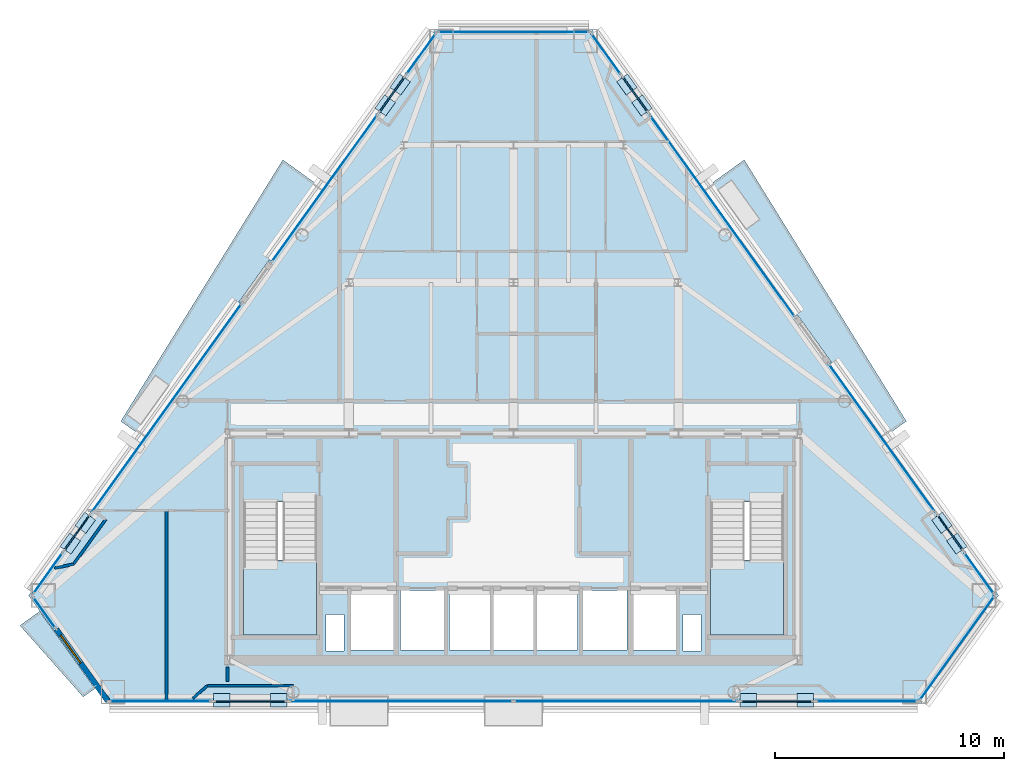
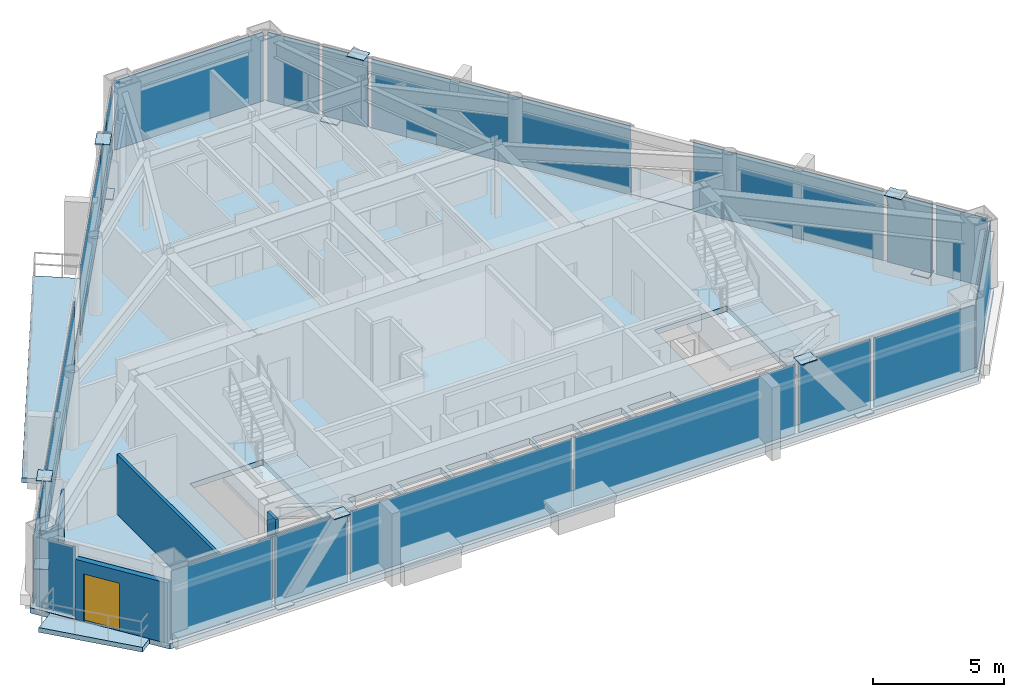
# One storey, part 6 of 11: 33 plates, 7 walls, 6 slabs, 1 door, 1 opening, 22 elements without a shape of their own.
"""IFC4 building model written with IfcOpenShell, lengths in metres."""

from ifc_helpers import new_model, si_unit, direction, frame, frame_2d, origin, origin_2d, place, context, subcontext, project, spatial, polyline, rectangle, outline, extrude, source, transform, mapped, material, layer, layer_set, type_object, type_shapes, element, fill, aggregate, save


model = new_model("IFC4")

# Units and contexts
model_context = context("Model", 3, precision=1e-05, world=origin(), true_north=direction((0.0, 1.0)))
body_context = subcontext(model_context, "Body", "Model", "MODEL_VIEW")
ifc_project = project(units=[si_unit("LENGTHUNIT", "METRE"), si_unit("AREAUNIT", "SQUARE_METRE"), si_unit("VOLUMEUNIT", "CUBIC_METRE"), si_unit("PLANEANGLEUNIT", "RADIAN"), si_unit("MASSUNIT", "GRAM", prefix="KILO")], contexts=[model_context])

# Site, building, storey
site_placement = place(None, origin())
site = spatial("IfcSite", under=ifc_project, at=site_placement, CompositionType="ELEMENT")
building_placement = place(site_placement, origin())
building = spatial("IfcBuilding", under=site, at=building_placement, Name="Talgorran Terracotta Tower", CompositionType="ELEMENT")
storey_placement = place(building_placement, frame((0.0, 0.0, 210.89990234375)))
storey = spatial("IfcBuildingStorey", under=building, at=storey_placement, Name="L55", CompositionType="ELEMENT", Elevation=210.89990234375)

# Plates
ifc_material_1 = material(Name="Steel Grade 350 (350L0)", Category="steel")
ifc_layer_1 = layer(ifc_material_1, 0.031982421875, Name="PL_CAP_MN07")
ifc_layer_set_1 = layer_set([ifc_layer_1], Name="Steel Grade 350 (350L0)")
plate_type_1 = type_object("IfcPlateType", Name="PL_CAP_MN07", PredefinedType="USERDEFINED", material=ifc_layer_set_1)
for number, where, z_axis, x_axis, name in (
    (1, (-12.740478515625, -15.856689453125, -0.005859375), (0.0, 0.0, 1.0), (1.0, 0.0, 0.0), "L55 Diagonal Frame End Cap SWF Bot"),
    (2, (-10.26318359375, -15.856689453125, 3.3193359375), (0.0, 0.0, 1.0), (1.0, 0.0, 0.0), "L55 Diagonal Frame End Cap SWF Top"),
    (3, (12.740478515625, -15.856689453125, -0.005859375), (0.0, 0.0, 1.0), (-1.0, 0.0, 0.0), "L55 Diagonal Frame End Cap SEF Bot"),
    (4, (10.26318359375, -15.856689453125, 3.3193359375), (0.0, 0.0, 1.0), (-1.0, 0.0, 0.0), "L55 Diagonal Frame End Cap SEF Top"),
    (5, (19.36669921875, -9.00830078125, -0.005859375), (0.0, 0.0, 1.0), (-0.583682937781, 0.811981667369, 0.0), "L55 Diagonal Frame End Cap NEL Bot"),
    (6, (18.713134765625, -8.098876953125, 3.3193359375), (0.0, 0.0, 1.0), (-0.583682937781, 0.811981667369, 0.0), "L55 Diagonal Frame End Cap NEL Top"),
    (7, (4.9541015625, 11.04833984375, -0.005859375), (0.0, 0.0, 1.0), (0.583541211356, -0.812083526892, 0.0), "L55 Diagonal Frame End Cap NEU Bot"),
    (8, (5.607666015625, 10.138916015625, 3.3193359375), (0.0, 0.0, 1.0), (0.583541211356, -0.812083526892, 0.0), "L55 Diagonal Frame End Cap NEU Top"),
    (9, (-4.9541015625, 11.04833984375, -0.005859375), (0.0, 0.0, 1.0), (-0.583541211356, -0.812083526892, 0.0), "L55 Diagonal Frame End Cap NWU Bot"),
    (10, (-5.607666015625, 10.138916015625, 3.3193359375), (0.0, 0.0, 1.0), (-0.583541211356, -0.812083526892, 0.0), "L55 Diagonal Frame End Cap NWU Top"),
    (11, (-19.36669921875, -9.00830078125, -0.005859375), (0.0, 0.0, 1.0), (0.583541211356, 0.812083526892, 0.0), "L55 Diagonal Frame End Cap NWL Bot"),
    (12, (-18.713134765625, -8.098876953125, 3.3193359375), (0.0, 0.0, 1.0), (0.583541211356, 0.812083526892, 0.0), "L55 Diagonal Frame End Cap NWL Top"),
):
    element("IfcPlate", number, at=place(storey_placement, frame(where, z_axis=z_axis, x_axis=x_axis)), inside=storey, type_object=plate_type_1, Name=name, ObjectType="CAP PLATE", PredefinedType="USERDEFINED", context=body_context, shape_type="SweptSolid", body=[
        extrude(rectangle(XDim=0.719970703125, YDim=0.580078125, at=origin_2d()), origin(), (0.0, 0.0, 1.0), 0.031982421875),
    ])

# Slabs
ifc_material_2 = material(Name="Concrete C40/50", Category="concrete")
ifc_layer_2 = layer(ifc_material_2, 0.219970703125, Name="SL_BALCONY_220")
ifc_layer_set_2 = layer_set([ifc_layer_2], Name="Concrete C40/50")
slab_type_1 = type_object("IfcSlabType", Name="SL_BALCONY_220", PredefinedType="FLOOR", material=ifc_layer_set_2)
slab_1_placement = place(storey_placement, frame((0.0, 0.0, -0.219970703125)))
element("IfcSlab", 13, at=slab_1_placement, inside=storey, type_object=slab_type_1, Name="L55 Outdoor Wave Balcony BAL-NE", PredefinedType="FLOOR", context=body_context, shape_type="SweptSolid", body=[
    extrude(outline(polyline([(8.401123046875, 6.551513671875), (16.22314453125, -4.333740234375), (17.158935546875, -3.661376953125), (10.080322265625, 7.758056640625), (8.401123046875, 6.551513671875)])), origin(), (0.0, 0.0, 1.0), 0.219970703125),
])
slab_2_placement = place(storey_placement, frame((0.0, 0.0, -0.219970703125)))
element("IfcSlab", 14, at=slab_2_placement, inside=storey, type_object=slab_type_1, Name="L55 Outdoor Wave Balcony BAL-NW", PredefinedType="FLOOR", context=body_context, shape_type="SweptSolid", body=[
    extrude(outline(polyline([(-16.22314453125, -4.333740234375), (-8.401123046875, 6.551513671875), (-10.080322265625, 7.758056640625), (-17.158935546875, -3.661376953125), (-16.22314453125, -4.333740234375)])), origin(), (0.0, 0.0, 1.0), 0.219970703125),
])
slab_3_placement = place(storey_placement, frame((0.0, 0.0, -0.219970703125)))
element("IfcSlab", 15, at=slab_3_placement, inside=storey, type_object=slab_type_1, Name="L55 Outdoor Wave Balcony BAL-SW", PredefinedType="FLOOR", context=body_context, shape_type="SweptSolid", body=[
    extrude(outline(polyline([(-18.28564453125, -15.335205078125), (-20.704833984375, -11.968505859375), (-21.564208984375, -12.586181640625), (-18.8017578125, -15.7060546875), (-18.28564453125, -15.335205078125)])), origin(), (0.0, 0.0, 1.0), 0.219970703125),
])

# Stair, slab
stair_type = type_object("IfcStairType", Name="ST_FIRE_SCISSOR", PredefinedType="HALF_TURN_STAIR", material=ifc_material_2)
stair_1_placement = place(storey_placement, origin())
stair_1 = element("IfcStair", 16, at=stair_1_placement, inside=storey, type_object=stair_type, Name="L55 West Protected Fire Stair ST-01", PredefinedType="HALF_TURN_STAIR")
ifc_layer_3 = layer(ifc_material_2, 0.199951171875, Name="SL_LANDING_200")
ifc_layer_set_3 = layer_set([ifc_layer_3], Name="Concrete C40/50")
slab_type_2 = type_object("IfcSlabType", Name="SL_LANDING_200", PredefinedType="LANDING", material=ifc_layer_set_3)
slab_4_placement = place(storey_placement, frame((0.0, 0.0, 1.60009765625)))
slab_4 = element("IfcSlab", 17, at=slab_4_placement, type_object=slab_type_2, Name="ST-01 landing 1", PredefinedType="LANDING", context=body_context, shape_type="SweptSolid", body=[
    extrude(outline(polyline([(-11.800048828125, -9.719970703125), (-11.800048828125, -13.0), (-8.60009765625, -13.0), (-8.60009765625, -9.719970703125), (-11.800048828125, -9.719970703125)])), origin(), (0.0, 0.0, 1.0), 0.199951171875),
])
aggregate(stair_1, [slab_4])

stair_2_placement = place(storey_placement, origin())
stair_2 = element("IfcStair", 18, at=stair_2_placement, inside=storey, type_object=stair_type, Name="L55 East Protected Fire Stair ST-02", PredefinedType="HALF_TURN_STAIR")
slab_5_placement = place(storey_placement, frame((0.0, 0.0, 1.60009765625)))
slab_5 = element("IfcSlab", 19, at=slab_5_placement, type_object=slab_type_2, Name="ST-02 landing 1", PredefinedType="LANDING", context=body_context, shape_type="SweptSolid", body=[
    extrude(outline(polyline([(8.60009765625, -9.719970703125), (8.60009765625, -13.0), (11.800048828125, -13.0), (11.800048828125, -9.719970703125), (8.60009765625, -9.719970703125)])), origin(), (0.0, 0.0, 1.0), 0.199951171875),
])
aggregate(stair_2, [slab_5])

# Slab
ifc_layer_4 = layer(ifc_material_2, 0.2548828125, Name="SL_TOWER_235")
ifc_layer_set_4 = layer_set([ifc_layer_4], Name="Concrete C40/50")
slab_type_3 = type_object("IfcSlabType", Name="SL_TOWER_235", PredefinedType="FLOOR", material=ifc_layer_set_4)
slab_6_placement = place(storey_placement, frame((0.0, 0.0, -0.2548828125)))
element("IfcSlab", 20, at=slab_6_placement, inside=storey, type_object=slab_type_3, Name="Storey L55 Structural Floor Slab", PredefinedType="FLOOR", context=body_context, shape_type="SweptSolid", body=[
    extrude(outline(polyline([(-21.188720703125, -11.26953125), (-17.77734375, -16.0166015625), (17.77734375, -16.0166015625), (21.188720703125, -11.26953125), (3.411376953125, 13.469482421875), (-3.411376953125, 13.469482421875), (-21.188720703125, -11.26953125)]), holes=[polyline([(-11.800048828125, -7.199951171875), (-11.800048828125, -13.0), (-8.60009765625, -13.0), (-8.60009765625, -7.199951171875), (-11.800048828125, -7.199951171875)]), polyline([(8.60009765625, -7.199951171875), (8.60009765625, -13.0), (11.800048828125, -13.0), (11.800048828125, -7.199951171875), (8.60009765625, -7.199951171875)]), polyline([(-7.10009765625, -13.64990234375), (-5.199951171875, -13.64990234375), (-5.199951171875, -11.050048828125), (-7.10009765625, -11.050048828125), (-7.10009765625, -13.64990234375)]), polyline([(5.199951171875, -13.64990234375), (7.10009765625, -13.64990234375), (7.10009765625, -11.050048828125), (5.199951171875, -11.050048828125), (5.199951171875, -13.64990234375)]), polyline([(3.0, -13.64990234375), (4.949951171875, -13.64990234375), (4.949951171875, -11.050048828125), (3.0, -11.050048828125), (3.0, -13.64990234375)]), polyline([(-4.949951171875, -13.64990234375), (-3.0, -13.64990234375), (-3.0, -11.050048828125), (-4.949951171875, -11.050048828125), (-4.949951171875, -13.64990234375)]), polyline([(-2.800048828125, -13.64990234375), (-1.0, -13.64990234375), (-1.0, -11.050048828125), (-2.800048828125, -11.050048828125), (-2.800048828125, -13.64990234375)]), polyline([(-0.89990234375, -13.64990234375), (0.89990234375, -13.64990234375), (0.89990234375, -11.050048828125), (-0.89990234375, -11.050048828125), (-0.89990234375, -13.64990234375)]), polyline([(1.0, -13.64990234375), (2.800048828125, -13.64990234375), (2.800048828125, -11.050048828125), (1.0, -11.050048828125), (1.0, -13.64990234375)]), polyline([(-8.199951171875, -13.699951171875), (-7.39990234375, -13.699951171875), (-7.39990234375, -12.10009765625), (-8.199951171875, -12.10009765625), (-8.199951171875, -13.699951171875)]), polyline([(7.39990234375, -13.699951171875), (8.199951171875, -13.699951171875), (8.199951171875, -12.10009765625), (7.39990234375, -12.10009765625), (7.39990234375, -13.699951171875)])]), origin(), (0.0, 0.0, 1.0), 0.2548828125),
])

# Curtain wall, plate
ifc_material_3 = material(Name="High-Wind Unitised Glazing", Category="glass")
ifc_layer_5 = layer(ifc_material_3, 0.2099609375, Name="CW_SYS3_RES_HIGH")
ifc_layer_set_5 = layer_set([ifc_layer_5], Name="High-Wind Unitised Glazing")
curtain_wall_type = type_object("IfcCurtainWallType", Name="CW_SYS3_RES_HIGH", PredefinedType="NOTDEFINED", material=ifc_layer_set_5)
curtain_wall_1_placement = place(storey_placement, origin())
curtain_wall_1 = element("IfcCurtainWall", 21, at=curtain_wall_1_placement, inside=storey, type_object=curtain_wall_type, Name="CW-L55-F10", PredefinedType="NOTDEFINED")
ifc_material_4 = material(Name="High-Wind Acoustic Vision Glass", Category="glass")
ifc_layer_6 = layer(ifc_material_4, 0.031982421875, Name="PLT_VISION_32")
ifc_layer_set_6 = layer_set([ifc_layer_6], Name="High-Wind Acoustic Vision Glass")
plate_type_2 = type_object("IfcPlateType", Name="PLT_VISION_32", PredefinedType="CURTAIN_PANEL", material=ifc_layer_set_6)
shared_shape_1 = source(origin(), body_context, "Body", "SweptSolid", [
    extrude(rectangle(XDim=1.634765625, YDim=0.031982421875, at=origin_2d()), origin(), (0.0, 0.0, 1.0), 3.205078125),
])
plate_1_placement = place(storey_placement, frame((-20.499755859375, -12.022705078125, 0.070068359375), z_axis=(0.0, 0.0, 1.0), x_axis=(0.583548971876, -0.812077950336, 0.0)))
plate_1 = element("IfcPlate", 22, at=plate_1_placement, type_object=plate_type_2, Name="CW-L55-10 panel 1.1", PredefinedType="CURTAIN_PANEL", context=body_context, shape_type="MappedRepresentation", body=[
    mapped(shared_shape_1, transform((0.0, 0.0, 0.0), scale=1.0)),
])
aggregate(curtain_wall_1, [plate_1])

curtain_wall_2_placement = place(storey_placement, origin())
curtain_wall_2 = element("IfcCurtainWall", 23, at=curtain_wall_2_placement, inside=storey, type_object=curtain_wall_type, Name="CW-L55-F2", PredefinedType="NOTDEFINED")
shared_shape_2 = source(origin(), body_context, "Body", "SweptSolid", [
    extrude(rectangle(XDim=5.557861328125, YDim=0.031982421875, at=origin_2d()), origin(), (0.0, 0.0, 1.0), 3.205078125),
])
plate_2_placement = place(storey_placement, frame((19.37841796875, -13.583251953125, 0.070068359375), z_axis=(0.0, 0.0, 1.0), x_axis=(0.58355178486, 0.812075928954, 0.0)))
plate_2 = element("IfcPlate", 24, at=plate_2_placement, type_object=plate_type_2, Name="CW-L55-2 panel 1.1", PredefinedType="CURTAIN_PANEL", context=body_context, shape_type="MappedRepresentation", body=[
    mapped(shared_shape_2, transform((0.0, 0.0, 0.0), scale=1.0)),
])
aggregate(curtain_wall_2, [plate_2])

curtain_wall_3_placement = place(storey_placement, origin())
curtain_wall_3 = element("IfcCurtainWall", 25, at=curtain_wall_3_placement, inside=storey, type_object=curtain_wall_type, Name="CW-L55-F40B", PredefinedType="NOTDEFINED")
ifc_material_5 = material(Name="Terracotta Insulated Spandrel", Category="masonry")
ifc_layer_7 = layer(ifc_material_5, 0.06494140625, Name="PLT_SPANDREL_TERRA")
ifc_layer_set_7 = layer_set([ifc_layer_7], Name="Terracotta Insulated Spandrel")
plate_type_3 = type_object("IfcPlateType", Name="PLT_SPANDREL_TERRA", PredefinedType="SHEET", material=ifc_layer_set_7)
shared_shape_3 = source(origin(), body_context, "Body", "SweptSolid", [
    extrude(rectangle(XDim=1.896728515625, YDim=0.06494140625, at=origin_2d()), origin(), (0.0, 0.0, 1.0), 3.205078125),
])
plate_3_placement = place(storey_placement, frame((19.072509765625, -8.5302734375, 0.070068359375), z_axis=(0.0, 0.0, 1.0), x_axis=(-0.583590520818, 0.812048092179, 0.0)))
plate_3 = element("IfcPlate", 26, at=plate_3_placement, type_object=plate_type_3, Name="CW-L55-40B panel 1.1", PredefinedType="CURTAIN_PANEL", context=body_context, shape_type="MappedRepresentation", body=[
    mapped(shared_shape_3, transform((0.0, 0.0, 0.0), scale=1.0)),
])
aggregate(curtain_wall_3, [plate_3])

curtain_wall_4_placement = place(storey_placement, origin())
curtain_wall_4 = element("IfcCurtainWall", 27, at=curtain_wall_4_placement, inside=storey, type_object=curtain_wall_type, Name="CW-L55-F41B", PredefinedType="NOTDEFINED")
plate_4_placement = place(storey_placement, frame((5.3134765625, 10.616943359375, 0.070068359375), z_axis=(0.0, 0.0, 1.0), x_axis=(-0.583558142462, 0.81207136039, 0.0)))
plate_4 = element("IfcPlate", 28, at=plate_4_placement, type_object=plate_type_3, Name="CW-L55-41B panel 1.1", PredefinedType="CURTAIN_PANEL", context=body_context, shape_type="MappedRepresentation", body=[
    mapped(shared_shape_3, transform((0.0, 0.0, 0.0), scale=1.0)),
])
aggregate(curtain_wall_4, [plate_4])

curtain_wall_5_placement = place(storey_placement, origin())
curtain_wall_5 = element("IfcCurtainWall", 29, at=curtain_wall_5_placement, inside=storey, type_object=curtain_wall_type, Name="CW-L55-F60B", PredefinedType="NOTDEFINED")
plate_5_placement = place(storey_placement, frame((-5.3134765625, 10.616943359375, 0.070068359375), z_axis=(0.0, 0.0, 1.0), x_axis=(-0.583558142462, -0.81207136039, 0.0)))
plate_5 = element("IfcPlate", 30, at=plate_5_placement, type_object=plate_type_3, Name="CW-L55-60B panel 1.1", PredefinedType="CURTAIN_PANEL", context=body_context, shape_type="MappedRepresentation", body=[
    mapped(shared_shape_3, transform((0.0, 0.0, 0.0), scale=1.0)),
])
aggregate(curtain_wall_5, [plate_5])

curtain_wall_6_placement = place(storey_placement, origin())
curtain_wall_6 = element("IfcCurtainWall", 31, at=curtain_wall_6_placement, inside=storey, type_object=curtain_wall_type, Name="CW-L55-F61B", PredefinedType="NOTDEFINED")
plate_6_placement = place(storey_placement, frame((-19.072509765625, -8.5302734375, 0.070068359375), z_axis=(0.0, 0.0, 1.0), x_axis=(-0.583558142462, -0.81207136039, 0.0)))
plate_6 = element("IfcPlate", 32, at=plate_6_placement, type_object=plate_type_3, Name="CW-L55-61B panel 1.1", PredefinedType="CURTAIN_PANEL", context=body_context, shape_type="MappedRepresentation", body=[
    mapped(shared_shape_3, transform((0.0, 0.0, 0.0), scale=1.0)),
])
aggregate(curtain_wall_6, [plate_6])

curtain_wall_7_placement = place(storey_placement, origin())
curtain_wall_7 = element("IfcCurtainWall", 33, at=curtain_wall_7_placement, inside=storey, type_object=curtain_wall_type, Name="CW-L55-F4", PredefinedType="NOTDEFINED")
shared_shape_4 = source(origin(), body_context, "Body", "SweptSolid", [
    extrude(rectangle(XDim=6.5595703125, YDim=0.031982421875, at=origin_2d()), origin(), (0.0, 0.0, 1.0), 3.205078125),
])
plate_7_placement = place(storey_placement, frame((0.0, 13.349609375, 0.070068359375), z_axis=(0.0, 0.0, 1.0), x_axis=(-1.0, 0.0, 0.0)))
plate_7 = element("IfcPlate", 34, at=plate_7_placement, type_object=plate_type_2, Name="CW-L55-4 panel 1.1", PredefinedType="CURTAIN_PANEL", context=body_context, shape_type="MappedRepresentation", body=[
    mapped(shared_shape_4, transform((0.0, 0.0, 0.0), scale=1.0)),
])
aggregate(curtain_wall_7, [plate_7])

curtain_wall_8_placement = place(storey_placement, origin())
curtain_wall_8 = element("IfcCurtainWall", 35, at=curtain_wall_8_placement, inside=storey, type_object=curtain_wall_type, Name="CW-L55-F1", PredefinedType="NOTDEFINED")
shared_shape_5 = source(origin(), body_context, "Body", "SweptSolid", [
    extrude(rectangle(XDim=4.413818359375, YDim=0.031982421875, at=origin_2d()), origin(), (0.0, 0.0, 1.0), 3.205078125),
])
plate_8_placement = place(storey_placement, frame((-15.43896484375, -15.896728515625, 0.070068359375), z_axis=(0.0, 0.0, 1.0), x_axis=(1.0, 0.0, 0.0)))
plate_8 = element("IfcPlate", 36, at=plate_8_placement, type_object=plate_type_2, Name="CW-L55-1 panel 1.1", PredefinedType="CURTAIN_PANEL", context=body_context, shape_type="MappedRepresentation", body=[
    mapped(shared_shape_5, transform((0.0, 0.0, 0.0), scale=1.0)),
])
aggregate(curtain_wall_8, [plate_8])

curtain_wall_9_placement = place(storey_placement, origin())
curtain_wall_9 = element("IfcCurtainWall", 37, at=curtain_wall_9_placement, inside=storey, type_object=curtain_wall_type, Name="CW-L55-F1E", PredefinedType="NOTDEFINED")
plate_9_placement = place(storey_placement, frame((15.43896484375, -15.896728515625, 0.070068359375), z_axis=(0.0, 0.0, 1.0), x_axis=(1.0, 0.0, 0.0)))
plate_9 = element("IfcPlate", 38, at=plate_9_placement, type_object=plate_type_2, Name="CW-L55-1E panel 1.1", PredefinedType="CURTAIN_PANEL", context=body_context, shape_type="MappedRepresentation", body=[
    mapped(shared_shape_5, transform((0.0, 0.0, 0.0), scale=1.0)),
])
aggregate(curtain_wall_9, [plate_9])

curtain_wall_10_placement = place(storey_placement, origin())
curtain_wall_10 = element("IfcCurtainWall", 39, at=curtain_wall_10_placement, inside=storey, type_object=curtain_wall_type, Name="CW-L55-F1B", PredefinedType="NOTDEFINED")
shared_shape_6 = source(origin(), body_context, "Body", "SweptSolid", [
    extrude(rectangle(XDim=3.160400390625, YDim=0.06494140625, at=origin_2d()), origin(), (0.0, 0.0, 1.0), 3.205078125),
])
type_shapes(plate_type_3, [shared_shape_3, shared_shape_6])
plate_10_placement = place(storey_placement, frame((-11.501953125, -15.896728515625, 0.070068359375), z_axis=(0.0, 0.0, 1.0), x_axis=(1.0, 0.0, 0.0)))
plate_10 = element("IfcPlate", 40, at=plate_10_placement, type_object=plate_type_3, Name="CW-L55-1B panel 1.1", PredefinedType="CURTAIN_PANEL", context=body_context, shape_type="MappedRepresentation", body=[
    mapped(shared_shape_6, transform((0.0, 0.0, 0.0), scale=1.0)),
])
aggregate(curtain_wall_10, [plate_10])

curtain_wall_11_placement = place(storey_placement, origin())
curtain_wall_11 = element("IfcCurtainWall", 41, at=curtain_wall_11_placement, inside=storey, type_object=curtain_wall_type, Name="CW-L55-F1D", PredefinedType="NOTDEFINED")
plate_11_placement = place(storey_placement, frame((11.501953125, -15.896728515625, 0.070068359375), z_axis=(0.0, 0.0, 1.0), x_axis=(1.0, 0.0, 0.0)))
plate_11 = element("IfcPlate", 42, at=plate_11_placement, type_object=plate_type_3, Name="CW-L55-1D panel 1.1", PredefinedType="CURTAIN_PANEL", context=body_context, shape_type="MappedRepresentation", body=[
    mapped(shared_shape_6, transform((0.0, 0.0, 0.0), scale=1.0)),
])
aggregate(curtain_wall_11, [plate_11])

# Curtain wall, plates
curtain_wall_12_placement = place(storey_placement, origin())
curtain_wall_12 = element("IfcCurtainWall", 43, at=curtain_wall_12_placement, inside=storey, type_object=curtain_wall_type, Name="CW-L55-F1C", PredefinedType="NOTDEFINED")
shared_shape_7 = source(origin(), body_context, "Body", "SweptSolid", [
    extrude(rectangle(XDim=9.73681640625, YDim=0.031982421875, at=origin_2d()), origin(), (0.0, 0.0, 1.0), 3.205078125),
])
plate_12_placement = place(storey_placement, frame((-4.9033203125, -15.896728515625, 0.070068359375), z_axis=(0.0, 0.0, 1.0), x_axis=(1.0, 0.0, 0.0)))
plate_12 = element("IfcPlate", 44, at=plate_12_placement, type_object=plate_type_2, Name="CW-L55-1C panel 1.1", PredefinedType="CURTAIN_PANEL", context=body_context, shape_type="MappedRepresentation", body=[
    mapped(shared_shape_7, transform((0.0, 0.0, 0.0), scale=1.0)),
])
plate_13_placement = place(storey_placement, frame((4.9033203125, -15.896728515625, 0.070068359375), z_axis=(0.0, 0.0, 1.0), x_axis=(1.0, 0.0, 0.0)))
plate_13 = element("IfcPlate", 45, at=plate_13_placement, type_object=plate_type_2, Name="CW-L55-1C panel 2.1", PredefinedType="CURTAIN_PANEL", context=body_context, shape_type="MappedRepresentation", body=[
    mapped(shared_shape_7, transform((0.0, 0.0, 0.0), scale=1.0)),
])
aggregate(curtain_wall_12, [plate_12, plate_13])

# Curtain wall, plate
curtain_wall_13_placement = place(storey_placement, origin())
curtain_wall_13 = element("IfcCurtainWall", 46, at=curtain_wall_13_placement, inside=storey, type_object=curtain_wall_type, Name="CW-L55-F40", PredefinedType="NOTDEFINED")
shared_shape_8 = source(origin(), body_context, "Body", "SweptSolid", [
    extrude(rectangle(XDim=2.164794921875, YDim=0.031982421875, at=origin_2d()), origin(), (0.0, 0.0, 1.0), 3.205078125),
])
plate_14_placement = place(storey_placement, frame((20.34521484375, -10.30126953125, 0.070068359375), z_axis=(0.0, 0.0, 1.0), x_axis=(-0.583554691169, 0.812073840494, 0.0)))
plate_14 = element("IfcPlate", 47, at=plate_14_placement, type_object=plate_type_2, Name="CW-L55-40 panel 1.1", PredefinedType="CURTAIN_PANEL", context=body_context, shape_type="MappedRepresentation", body=[
    mapped(shared_shape_8, transform((0.0, 0.0, 0.0), scale=1.0)),
])
aggregate(curtain_wall_13, [plate_14])

curtain_wall_14_placement = place(storey_placement, origin())
curtain_wall_14 = element("IfcCurtainWall", 48, at=curtain_wall_14_placement, inside=storey, type_object=curtain_wall_type, Name="CW-L55-F40C", PredefinedType="NOTDEFINED")
shared_shape_9 = source(origin(), body_context, "Body", "SweptSolid", [
    extrude(rectangle(XDim=7.947021484375, YDim=0.031982421875, at=origin_2d()), origin(), (0.0, 0.0, 1.0), 3.205078125),
])
plate_15_placement = place(storey_placement, frame((16.11279296875, -4.41162109375, 0.070068359375), z_axis=(0.0, 0.0, 1.0), x_axis=(-0.583556548912, 0.81207250552, 0.0)))
plate_15 = element("IfcPlate", 49, at=plate_15_placement, type_object=plate_type_2, Name="CW-L55-40C panel 1.1", PredefinedType="CURTAIN_PANEL", context=body_context, shape_type="MappedRepresentation", body=[
    mapped(shared_shape_9, transform((0.0, 0.0, 0.0), scale=1.0)),
])
aggregate(curtain_wall_14, [plate_15])

curtain_wall_15_placement = place(storey_placement, origin())
curtain_wall_15 = element("IfcCurtainWall", 50, at=curtain_wall_15_placement, inside=storey, type_object=curtain_wall_type, Name="CW-L55-F41", PredefinedType="NOTDEFINED")
shared_shape_10 = source(origin(), body_context, "Body", "SweptSolid", [
    extrude(rectangle(XDim=10.83447265625, YDim=0.031982421875, at=origin_2d()), origin(), (0.0, 0.0, 1.0), 3.205078125),
])
plate_16_placement = place(storey_placement, frame((9.115478515625, 5.325927734375, 0.070068359375), z_axis=(0.0, 0.0, 1.0), x_axis=(-0.583547611028, 0.812078928223, 0.0)))
plate_16 = element("IfcPlate", 51, at=plate_16_placement, type_object=plate_type_2, Name="CW-L55-41 panel 1.1", PredefinedType="CURTAIN_PANEL", context=body_context, shape_type="MappedRepresentation", body=[
    mapped(shared_shape_10, transform((0.0, 0.0, 0.0), scale=1.0)),
])
aggregate(curtain_wall_15, [plate_16])

curtain_wall_16_placement = place(storey_placement, origin())
curtain_wall_16 = element("IfcCurtainWall", 52, at=curtain_wall_16_placement, inside=storey, type_object=curtain_wall_type, Name="CW-L55-F41C", PredefinedType="NOTDEFINED")
shared_shape_11 = source(origin(), body_context, "Body", "SweptSolid", [
    extrude(rectangle(XDim=2.15673828125, YDim=0.031982421875, at=origin_2d()), origin(), (0.0, 0.0, 1.0), 3.205078125),
])
plate_17_placement = place(storey_placement, frame((4.043212890625, 12.384521484375, 0.070068359375), z_axis=(0.0, 0.0, 1.0), x_axis=(-0.583538251607, 0.812085653679, 0.0)))
plate_17 = element("IfcPlate", 53, at=plate_17_placement, type_object=plate_type_2, Name="CW-L55-41C panel 1.1", PredefinedType="CURTAIN_PANEL", context=body_context, shape_type="MappedRepresentation", body=[
    mapped(shared_shape_11, transform((0.0, 0.0, 0.0), scale=1.0)),
])
aggregate(curtain_wall_16, [plate_17])

curtain_wall_17_placement = place(storey_placement, origin())
curtain_wall_17 = element("IfcCurtainWall", 54, at=curtain_wall_17_placement, inside=storey, type_object=curtain_wall_type, Name="CW-L55-F60", PredefinedType="NOTDEFINED")
plate_18_placement = place(storey_placement, frame((-4.043212890625, 12.384521484375, 0.070068359375), z_axis=(0.0, 0.0, 1.0), x_axis=(-0.583566965149, -0.812065020295, 0.0)))
plate_18 = element("IfcPlate", 55, at=plate_18_placement, type_object=plate_type_2, Name="CW-L55-60 panel 1.1", PredefinedType="CURTAIN_PANEL", context=body_context, shape_type="MappedRepresentation", body=[
    mapped(shared_shape_11, transform((0.0, 0.0, 0.0), scale=1.0)),
])
aggregate(curtain_wall_17, [plate_18])

curtain_wall_18_placement = place(storey_placement, origin())
curtain_wall_18 = element("IfcCurtainWall", 56, at=curtain_wall_18_placement, inside=storey, type_object=curtain_wall_type, Name="CW-L55-F60C", PredefinedType="NOTDEFINED")
shared_shape_12 = source(origin(), body_context, "Body", "SweptSolid", [
    extrude(rectangle(XDim=7.882568359375, YDim=0.031982421875, at=origin_2d()), origin(), (0.0, 0.0, 1.0), 3.205078125),
])
plate_19_placement = place(storey_placement, frame((-8.25439453125, 6.5244140625, 0.070068359375), z_axis=(0.0, 0.0, 1.0), x_axis=(-0.583557453114, -0.812071855758, 0.0)))
plate_19 = element("IfcPlate", 57, at=plate_19_placement, type_object=plate_type_2, Name="CW-L55-60C panel 1.1", PredefinedType="CURTAIN_PANEL", context=body_context, shape_type="MappedRepresentation", body=[
    mapped(shared_shape_12, transform((0.0, 0.0, 0.0), scale=1.0)),
])
aggregate(curtain_wall_18, [plate_19])

curtain_wall_19_placement = place(storey_placement, origin())
curtain_wall_19 = element("IfcCurtainWall", 58, at=curtain_wall_19_placement, inside=storey, type_object=curtain_wall_type, Name="CW-L55-F61", PredefinedType="NOTDEFINED")
shared_shape_13 = source(origin(), body_context, "Body", "SweptSolid", [
    extrude(rectangle(XDim=11.19873046875, YDim=0.031982421875, at=origin_2d()), origin(), (0.0, 0.0, 1.0), 3.205078125),
])
plate_20_placement = place(storey_placement, frame((-15.1640625, -3.09130859375, 0.070068359375), z_axis=(0.0, 0.0, 1.0), x_axis=(-0.583551725545, -0.812075971578, 0.0)))
plate_20 = element("IfcPlate", 59, at=plate_20_placement, type_object=plate_type_2, Name="CW-L55-61 panel 1.1", PredefinedType="CURTAIN_PANEL", context=body_context, shape_type="MappedRepresentation", body=[
    mapped(shared_shape_13, transform((0.0, 0.0, 0.0), scale=1.0)),
])
aggregate(curtain_wall_19, [plate_20])

curtain_wall_20_placement = place(storey_placement, origin())
curtain_wall_20 = element("IfcCurtainWall", 60, at=curtain_wall_20_placement, inside=storey, type_object=curtain_wall_type, Name="CW-L55-F61C", PredefinedType="NOTDEFINED")
shared_shape_14 = source(origin(), body_context, "Body", "SweptSolid", [
    extrude(rectangle(XDim=2.1650390625, YDim=0.031982421875, at=origin_2d()), origin(), (0.0, 0.0, 1.0), 3.205078125),
])
type_shapes(plate_type_2, [shared_shape_1, shared_shape_2, shared_shape_4, shared_shape_5, shared_shape_7, shared_shape_8, shared_shape_9, shared_shape_10, shared_shape_11, shared_shape_12, shared_shape_13, shared_shape_14])
plate_21_placement = place(storey_placement, frame((-20.344970703125, -10.30126953125, 0.070068359375), z_axis=(0.0, 0.0, 1.0), x_axis=(-0.583562742162, -0.812068055005, 0.0)))
plate_21 = element("IfcPlate", 61, at=plate_21_placement, type_object=plate_type_2, Name="CW-L55-61C panel 1.1", PredefinedType="CURTAIN_PANEL", context=body_context, shape_type="MappedRepresentation", body=[
    mapped(shared_shape_14, transform((0.0, 0.0, 0.0), scale=1.0)),
])
aggregate(curtain_wall_20, [plate_21])

# Wall, opening, door
ifc_layer_8 = layer(ifc_material_2, 0.239990234375, Name="WT_BALCONY_SPAND")
ifc_layer_set_8 = layer_set([ifc_layer_8], Name="Concrete C40/50")
wall_type_1 = type_object("IfcWallType", Name="WT_BALCONY_SPAND", PredefinedType="STANDARD", material=ifc_layer_set_8)
wall_1_placement = place(storey_placement, frame((-19.97607421875, -12.75146484375, -0.014892578125), z_axis=(0.0, 0.0, 1.0), x_axis=(0.5835494265, -0.812077623649, 0.0)))
wall_1 = element("IfcWall", 62, at=wall_1_placement, inside=storey, type_object=wall_type_1, Name="WL-L55-BALP-BAL-SW", PredefinedType="STANDARD", context=body_context, shape_type="SweptSolid", body=[
    extrude(rectangle(XDim=3.8330078125, YDim=0.239990234375, at=frame_2d((1.91650390625, 0.0))), origin(), (0.0, 0.0, 1.0), 2.802001953125),
])
opening_placement = place(wall_1_placement, frame((0.320068359375, 0.0, 0.014892578125)))
opening = element("IfcOpeningElement", 63, at=opening_placement, cuts=wall_1, Name="Opening D-BAL-L55-3", PredefinedType="OPENING", context=body_context, shape_type="SweptSolid", body=[
    extrude(rectangle(XDim=1.506, YDim=2.203951171875, at=frame_2d((0.75, 1.10205078125))), frame((0.0, 0.1298828125, 0.0), z_axis=(0.0, -1.0, 0.0), x_axis=(1.0, 0.0, 0.0)), (0.0, 0.0, 1.0), 0.260009765625),
])
ifc_material_6 = material(Name="Thermally Broken Aluminium", Category="aluminium")
door_type = type_object("IfcDoorType", Name="DT_BALC_1500", OperationType="SLIDING_TO_RIGHT", PredefinedType="DOOR", material=ifc_material_6)
door_placement = place(opening_placement, origin())
door = element("IfcDoor", 64, at=door_placement, inside=storey, type_object=door_type, Name="DR-L55-BAL-BAL-SW", OperationType="SLIDING_TO_RIGHT", OverallHeight=2.199951171875, OverallWidth=1.5, PredefinedType="DOOR", context=body_context, shape_type="SweptSolid", body=[
    extrude(rectangle(XDim=1.5, YDim=2.199951171875, at=frame_2d((0.75, 1.10009765625))), frame((0.0, 0.02490234375, 0.0), z_axis=(0.0, -1.0, 0.0), x_axis=(1.0, 0.0, 0.0)), (0.0, 0.0, 1.0), 0.050048828125),
])
fill(opening, door)

# Walls
ifc_material_7 = material(Name="Insulated Steel Stud Plasterboard", Category="steel")
ifc_layer_9 = layer(ifc_material_7, 0.1201171875, Name="WT_PART_120")
ifc_layer_set_9 = layer_set([ifc_layer_9], Name="Insulated Steel Stud Plasterboard")
wall_type_2 = type_object("IfcWallType", Name="WT_PART_120", PredefinedType="PARTITIONING", material=ifc_layer_set_9)
wall_2_placement = place(storey_placement, frame((-13.380615234375, -15.216796875, 0.0), z_axis=(0.0, 0.0, 1.0), x_axis=(1.0, 0.0, 0.0)))
element("IfcWall", 65, at=wall_2_placement, inside=storey, type_object=wall_type_2, Name="WL-L55-BW-L55-01", PredefinedType="PARTITIONING", context=body_context, shape_type="SweptSolid", body=[
    extrude(rectangle(XDim=3.75732421875, YDim=0.1201171875, at=frame_2d((1.878662109375, 0.0))), origin(), (0.0, 0.0, 1.0), 2.787109375),
])
wall_3_placement = place(storey_placement, frame((-17.820068359375, -7.95263671875, 0.0), z_axis=(0.0, 0.0, 1.0), x_axis=(-0.583516561227, -0.812101239239, 0.0)))
element("IfcWall", 66, at=wall_3_placement, inside=storey, type_object=wall_type_2, Name="WL-L55-BW-L55-08", PredefinedType="PARTITIONING", context=body_context, shape_type="SweptSolid", body=[
    extrude(rectangle(XDim=2.39990234375, YDim=0.1201171875, at=frame_2d((1.199951171875, 0.0))), origin(), (0.0, 0.0, 1.0), 2.320068359375),
])
wall_4_placement = place(storey_placement, frame((-14.018798828125, -15.7802734375, 0.0), z_axis=(0.0, 0.0, 1.0), x_axis=(0.749620225682, 0.661868202324, 0.0)))
element("IfcWall", 67, at=wall_4_placement, inside=storey, type_object=wall_type_2, Name="WL-L55-BW-L55-03", PredefinedType="PARTITIONING", context=body_context, shape_type="SweptSolid", body=[
    extrude(rectangle(XDim=0.851318359375, YDim=0.1201171875, at=frame_2d((0.42578125, 0.0))), origin(), (0.0, 0.0, 1.0), 2.787109375),
])
wall_5_placement = place(storey_placement, frame((-19.220458984375, -9.901611328125, 0.0), z_axis=(0.0, 0.0, 1.0), x_axis=(-0.976395829015, -0.215988854068, 0.0)))
element("IfcWall", 68, at=wall_5_placement, inside=storey, type_object=wall_type_2, Name="WL-L55-BW-L55-09", PredefinedType="PARTITIONING", context=body_context, shape_type="SweptSolid", body=[
    extrude(rectangle(XDim=0.85107421875, YDim=0.1201171875, at=frame_2d((0.425537109375, 0.0))), origin(), (0.0, 0.0, 1.0), 2.320068359375),
])
ifc_material_8 = material(Name="Moisture-Resistant Stud Wall")
ifc_layer_10 = layer(ifc_material_8, 0.135009765625, Name="WT_PART_135")
ifc_layer_set_10 = layer_set([ifc_layer_10], Name="Moisture-Resistant Stud Wall")
wall_type_3 = type_object("IfcWallType", Name="WT_PART_135", PredefinedType="PARTITIONING", material=ifc_layer_set_10)
wall_6_placement = place(storey_placement, frame((-15.159912109375, -15.896728515625, 0.0), z_axis=(0.0, 0.0, 1.0), x_axis=(0.0, 1.0, 0.0)))
element("IfcWall", 69, at=wall_6_placement, inside=storey, type_object=wall_type_3, Name="WL-L55-W-L55-R11", PredefinedType="PARTITIONING", context=body_context, shape_type="SweptSolid", body=[
    extrude(rectangle(XDim=8.336669921875, YDim=0.135009765625, at=frame_2d((4.16845703125, 0.0))), origin(), (0.0, 0.0, 1.0), 2.787109375),
])
wall_7_placement = place(storey_placement, frame((-12.5, -14.39990234375, 0.0), z_axis=(0.0, 0.0, 1.0), x_axis=(0.0, -1.0, 0.0)))
element("IfcWall", 70, at=wall_7_placement, inside=storey, type_object=wall_type_3, Name="WL-L55-W-L55-R38", PredefinedType="PARTITIONING", context=body_context, shape_type="SweptSolid", body=[
    extrude(rectangle(XDim=0.63671875, YDim=0.135009765625, at=frame_2d((0.318359375, 0.0))), origin(), (0.0, 0.0, 1.0), 3.34521484375),
])

save(model, "model.ifc")
